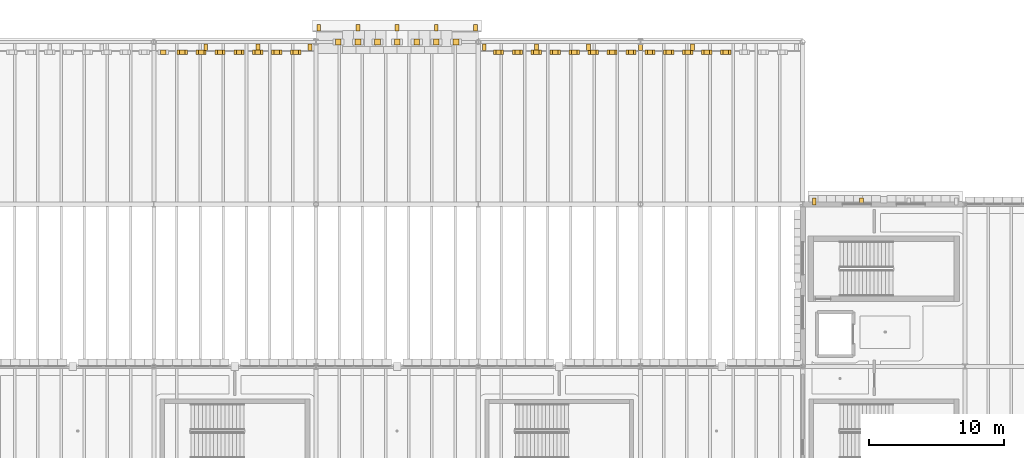
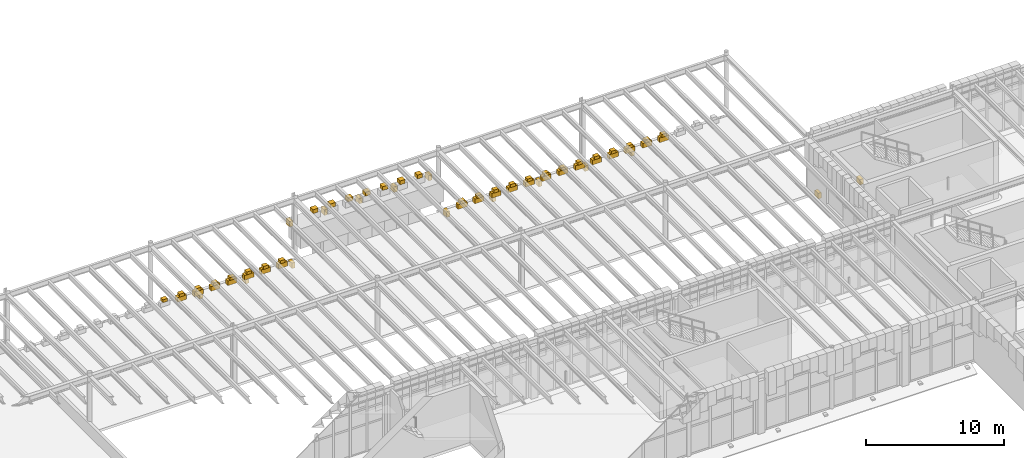
# One storey, part 99 of 100: 63 coverings.
"""IFC4 building model written with IfcOpenShell, lengths in metres."""

from ifc_helpers import new_model, si_unit, direction, frame, origin, place, context, subcontext, project, spatial, polyline, outline, extrude, material, layer, layer_set, type_object, element, save


model = new_model("IFC4")

# Units and contexts
model_context = context("Model", 3, precision=1e-05, world=origin(), true_north=direction((0.0, 1.0)))
body_context = subcontext(model_context, "Body", "Model", "MODEL_VIEW")
ifc_project = project(units=[si_unit("LENGTHUNIT", "METRE"), si_unit("AREAUNIT", "SQUARE_METRE"), si_unit("VOLUMEUNIT", "CUBIC_METRE"), si_unit("PLANEANGLEUNIT", "RADIAN"), si_unit("MASSUNIT", "GRAM", prefix="KILO")], contexts=[model_context])

# Site, building, storey
site_placement = place(None, origin())
site = spatial("IfcSite", under=ifc_project, at=site_placement, CompositionType="ELEMENT")
building_placement = place(site_placement, origin())
building = spatial("IfcBuilding", under=site, at=building_placement, Name="Zlatogorsky Bluff Art Gallery", CompositionType="ELEMENT")
storey_placement = place(building_placement, frame((0.0, 0.0, 5.39990234375)))
storey = spatial("IfcBuildingStorey", under=building, at=storey_placement, Name="L01", CompositionType="ELEMENT", Elevation=5.39990234375)

# Coverings
ifc_material = material(Name="Honed Red Agra-Tone Quartzitic Sandstone", Category="masonry")
ifc_layer = layer(ifc_material, 0.1201171875)
ifc_layer_set = layer_set([ifc_layer], Name="Carved Sandstone Cladding CLD-02")
covering_type = type_object("IfcCoveringType", Name="Carved Sandstone Cladding CLD-02", PredefinedType="CLADDING", material=ifc_layer_set)
covering_1_placement = place(storey_placement, frame((0.0, 0.0, 1.960205078125)))
element("IfcCovering", 1, at=covering_1_placement, inside=storey, type_object=covering_type, Name="Chhajja carved stone corbel PISHTAQ-N-DALAN-CHJ.1", PredefinedType="CLADDING", context=body_context, shape_type="SweptSolid", body=[
    extrude(outline(polyline([(84.06005859375, 120.81005859375), (84.340087890625, 120.81005859375), (84.340087890625, 121.31005859375), (84.06005859375, 121.31005859375), (84.06005859375, 120.81005859375)])), origin(), (0.0, 0.0, 1.0), 0.47998046875),
])
covering_2_placement = place(storey_placement, frame((0.0, 0.0, 1.960205078125)))
element("IfcCovering", 2, at=covering_2_placement, inside=storey, type_object=covering_type, Name="Chhajja carved stone corbel PISHTAQ-N-DALAN-CHJ.2", PredefinedType="CLADDING", context=body_context, shape_type="SweptSolid", body=[
    extrude(outline(polyline([(86.9599609375, 120.81005859375), (87.239990234375, 120.81005859375), (87.239990234375, 121.31005859375), (86.9599609375, 121.31005859375), (86.9599609375, 120.81005859375)])), origin(), (0.0, 0.0, 1.0), 0.47998046875),
])
covering_3_placement = place(storey_placement, frame((0.0, 0.0, 1.960205078125)))
element("IfcCovering", 3, at=covering_3_placement, inside=storey, type_object=covering_type, Name="Chhajja carved stone corbel PISHTAQ-N-DALAN-CHJ.3", PredefinedType="CLADDING", context=body_context, shape_type="SweptSolid", body=[
    extrude(outline(polyline([(89.860107421875, 120.81005859375), (90.139892578125, 120.81005859375), (90.139892578125, 121.31005859375), (89.860107421875, 121.31005859375), (89.860107421875, 120.81005859375)])), origin(), (0.0, 0.0, 1.0), 0.47998046875),
])
covering_4_placement = place(storey_placement, frame((0.0, 0.0, 1.960205078125)))
element("IfcCovering", 4, at=covering_4_placement, inside=storey, type_object=covering_type, Name="Chhajja carved stone corbel PISHTAQ-N-DALAN-CHJ.4", PredefinedType="CLADDING", context=body_context, shape_type="SweptSolid", body=[
    extrude(outline(polyline([(92.760009765625, 120.81005859375), (93.0400390625, 120.81005859375), (93.0400390625, 121.31005859375), (92.760009765625, 121.31005859375), (92.760009765625, 120.81005859375)])), origin(), (0.0, 0.0, 1.0), 0.47998046875),
])
covering_5_placement = place(storey_placement, frame((0.0, 0.0, 1.960205078125)))
element("IfcCovering", 5, at=covering_5_placement, inside=storey, type_object=covering_type, Name="Chhajja carved stone corbel PISHTAQ-N-DALAN-CHJ.5", PredefinedType="CLADDING", context=body_context, shape_type="SweptSolid", body=[
    extrude(outline(polyline([(95.659912109375, 120.81005859375), (95.93994140625, 120.81005859375), (95.93994140625, 121.31005859375), (95.659912109375, 121.31005859375), (95.659912109375, 120.81005859375)])), origin(), (0.0, 0.0, 1.0), 0.47998046875),
])
covering_6_placement = place(storey_placement, frame((0.0, 0.0, 3.283935546875)))
element("IfcCovering", 6, at=covering_6_placement, inside=storey, type_object=covering_type, Name="Kangura pointed merlon finial PISHTAQ-N-DALAN.1", PredefinedType="CLADDING", context=body_context, shape_type="SweptSolid", body=[
    extrude(outline(polyline([(85.436767578125, 119.794921875), (85.86328125, 119.794921875), (85.86328125, 120.215087890625), (85.436767578125, 120.215087890625), (85.436767578125, 119.794921875)])), origin(), (0.0, 0.0, 1.0), 0.336181640625),
])
covering_7_placement = place(storey_placement, frame((0.0, 0.0, 3.283935546875)))
element("IfcCovering", 7, at=covering_7_placement, inside=storey, type_object=covering_type, Name="Kangura pointed merlon finial PISHTAQ-N-DALAN.2", PredefinedType="CLADDING", context=body_context, shape_type="SweptSolid", body=[
    extrude(outline(polyline([(86.88671875, 119.794921875), (87.313232421875, 119.794921875), (87.313232421875, 120.215087890625), (86.88671875, 120.215087890625), (86.88671875, 119.794921875)])), origin(), (0.0, 0.0, 1.0), 0.336181640625),
])
covering_8_placement = place(storey_placement, frame((0.0, 0.0, 3.283935546875)))
element("IfcCovering", 8, at=covering_8_placement, inside=storey, type_object=covering_type, Name="Kangura pointed merlon finial PISHTAQ-N-DALAN.3", PredefinedType="CLADDING", context=body_context, shape_type="SweptSolid", body=[
    extrude(outline(polyline([(88.3369140625, 119.794921875), (88.76318359375, 119.794921875), (88.76318359375, 120.215087890625), (88.3369140625, 120.215087890625), (88.3369140625, 119.794921875)])), origin(), (0.0, 0.0, 1.0), 0.336181640625),
])
covering_9_placement = place(storey_placement, frame((0.0, 0.0, 3.283935546875)))
element("IfcCovering", 9, at=covering_9_placement, inside=storey, type_object=covering_type, Name="Kangura pointed merlon finial PISHTAQ-N-DALAN.4", PredefinedType="CLADDING", context=body_context, shape_type="SweptSolid", body=[
    extrude(outline(polyline([(89.786865234375, 119.794921875), (90.213134765625, 119.794921875), (90.213134765625, 120.215087890625), (89.786865234375, 120.215087890625), (89.786865234375, 119.794921875)])), origin(), (0.0, 0.0, 1.0), 0.336181640625),
])
covering_10_placement = place(storey_placement, frame((0.0, 0.0, 3.283935546875)))
element("IfcCovering", 10, at=covering_10_placement, inside=storey, type_object=covering_type, Name="Kangura pointed merlon finial PISHTAQ-N-DALAN.5", PredefinedType="CLADDING", context=body_context, shape_type="SweptSolid", body=[
    extrude(outline(polyline([(91.23681640625, 119.794921875), (91.6630859375, 119.794921875), (91.6630859375, 120.215087890625), (91.23681640625, 120.215087890625), (91.23681640625, 119.794921875)])), origin(), (0.0, 0.0, 1.0), 0.336181640625),
])
covering_11_placement = place(storey_placement, frame((0.0, 0.0, 3.283935546875)))
element("IfcCovering", 11, at=covering_11_placement, inside=storey, type_object=covering_type, Name="Kangura pointed merlon finial PISHTAQ-N-DALAN.6", PredefinedType="CLADDING", context=body_context, shape_type="SweptSolid", body=[
    extrude(outline(polyline([(92.686767578125, 119.794921875), (93.11328125, 119.794921875), (93.11328125, 120.215087890625), (92.686767578125, 120.215087890625), (92.686767578125, 119.794921875)])), origin(), (0.0, 0.0, 1.0), 0.336181640625),
])
covering_12_placement = place(storey_placement, frame((0.0, 0.0, 3.283935546875)))
element("IfcCovering", 12, at=covering_12_placement, inside=storey, type_object=covering_type, Name="Kangura pointed merlon finial PISHTAQ-N-DALAN.7", PredefinedType="CLADDING", context=body_context, shape_type="SweptSolid", body=[
    extrude(outline(polyline([(94.13671875, 119.794921875), (94.563232421875, 119.794921875), (94.563232421875, 120.215087890625), (94.13671875, 120.215087890625), (94.13671875, 119.794921875)])), origin(), (0.0, 0.0, 1.0), 0.336181640625),
])
covering_13_placement = place(storey_placement, frame((0.0, 0.0, -0.599853515625)))
element("IfcCovering", 13, at=covering_13_placement, inside=storey, type_object=covering_type, Name="Chhajja carved stone corbel CHJ-DALAN-W.5", PredefinedType="CLADDING", context=body_context, shape_type="SweptSolid", body=[
    extrude(outline(polyline([(75.7099609375, 119.360107421875), (75.989990234375, 119.360107421875), (75.989990234375, 119.860107421875), (75.7099609375, 119.860107421875), (75.7099609375, 119.360107421875)])), origin(), (0.0, 0.0, 1.0), 0.47998046875),
])
covering_14_placement = place(storey_placement, frame((0.0, 0.0, -0.599853515625)))
element("IfcCovering", 14, at=covering_14_placement, inside=storey, type_object=covering_type, Name="Chhajja carved stone corbel CHJ-DALAN-W.6", PredefinedType="CLADDING", context=body_context, shape_type="SweptSolid", body=[
    extrude(outline(polyline([(79.56005859375, 119.360107421875), (79.840087890625, 119.360107421875), (79.840087890625, 119.860107421875), (79.56005859375, 119.860107421875), (79.56005859375, 119.360107421875)])), origin(), (0.0, 0.0, 1.0), 0.47998046875),
])
covering_15_placement = place(storey_placement, frame((0.0, 0.0, -0.599853515625)))
element("IfcCovering", 15, at=covering_15_placement, inside=storey, type_object=covering_type, Name="Chhajja carved stone corbel CHJ-DALAN-W.7", PredefinedType="CLADDING", context=body_context, shape_type="SweptSolid", body=[
    extrude(outline(polyline([(83.409912109375, 119.360107421875), (83.68994140625, 119.360107421875), (83.68994140625, 119.860107421875), (83.409912109375, 119.860107421875), (83.409912109375, 119.360107421875)])), origin(), (0.0, 0.0, 1.0), 0.47998046875),
])
covering_16_placement = place(storey_placement, frame((0.0, 0.0, -0.599853515625)))
element("IfcCovering", 16, at=covering_16_placement, inside=storey, type_object=covering_type, Name="Chhajja carved stone corbel CHJ-DALAN-E.1", PredefinedType="CLADDING", context=body_context, shape_type="SweptSolid", body=[
    extrude(outline(polyline([(96.31005859375, 119.360107421875), (96.590087890625, 119.360107421875), (96.590087890625, 119.860107421875), (96.31005859375, 119.860107421875), (96.31005859375, 119.360107421875)])), origin(), (0.0, 0.0, 1.0), 0.47998046875),
])
covering_17_placement = place(storey_placement, frame((0.0, 0.0, -0.599853515625)))
element("IfcCovering", 17, at=covering_17_placement, inside=storey, type_object=covering_type, Name="Chhajja carved stone corbel CHJ-DALAN-E.2", PredefinedType="CLADDING", context=body_context, shape_type="SweptSolid", body=[
    extrude(outline(polyline([(100.159912109375, 119.360107421875), (100.43994140625, 119.360107421875), (100.43994140625, 119.860107421875), (100.159912109375, 119.860107421875), (100.159912109375, 119.360107421875)])), origin(), (0.0, 0.0, 1.0), 0.47998046875),
])
covering_18_placement = place(storey_placement, frame((0.0, 0.0, -0.599853515625)))
element("IfcCovering", 18, at=covering_18_placement, inside=storey, type_object=covering_type, Name="Chhajja carved stone corbel CHJ-DALAN-E.3", PredefinedType="CLADDING", context=body_context, shape_type="SweptSolid", body=[
    extrude(outline(polyline([(104.010009765625, 119.360107421875), (104.2900390625, 119.360107421875), (104.2900390625, 119.860107421875), (104.010009765625, 119.860107421875), (104.010009765625, 119.360107421875)])), origin(), (0.0, 0.0, 1.0), 0.47998046875),
])
covering_19_placement = place(storey_placement, frame((0.0, 0.0, -0.599853515625)))
element("IfcCovering", 19, at=covering_19_placement, inside=storey, type_object=covering_type, Name="Chhajja carved stone corbel CHJ-DALAN-E.4", PredefinedType="CLADDING", context=body_context, shape_type="SweptSolid", body=[
    extrude(outline(polyline([(107.860107421875, 119.360107421875), (108.139892578125, 119.360107421875), (108.139892578125, 119.860107421875), (107.860107421875, 119.860107421875), (107.860107421875, 119.360107421875)])), origin(), (0.0, 0.0, 1.0), 0.47998046875),
])
covering_20_placement = place(storey_placement, frame((0.0, 0.0, -0.599853515625)))
element("IfcCovering", 20, at=covering_20_placement, inside=storey, type_object=covering_type, Name="Chhajja carved stone corbel CHJ-DALAN-E.5", PredefinedType="CLADDING", context=body_context, shape_type="SweptSolid", body=[
    extrude(outline(polyline([(111.7099609375, 119.360107421875), (111.989990234375, 119.360107421875), (111.989990234375, 119.860107421875), (111.7099609375, 119.860107421875), (111.7099609375, 119.360107421875)])), origin(), (0.0, 0.0, 1.0), 0.47998046875),
])
covering_21_placement = place(storey_placement, frame((0.0, 0.0, 0.385986328125)))
element("IfcCovering", 21, at=covering_21_placement, inside=storey, type_object=covering_type, Name="Kangura pointed merlon finial DALAN-W.9", PredefinedType="CLADDING", context=body_context, shape_type="SweptSolid", body=[
    extrude(outline(polyline([(72.50244140625, 119.080078125), (72.897705078125, 119.080078125), (72.897705078125, 119.419921875), (72.50244140625, 119.419921875), (72.50244140625, 119.080078125)])), origin(), (0.0, 0.0, 1.0), 0.254150390625),
])
covering_22_placement = place(storey_placement, frame((0.0, 0.0, -0.010009765625)))
element("IfcCovering", 22, at=covering_22_placement, inside=storey, type_object=covering_type, Name="Kangura stepped merlon base DALAN-W.10", PredefinedType="CLADDING", context=body_context, shape_type="SweptSolid", body=[
    extrude(outline(polyline([(73.719970703125, 119.080078125), (74.47998046875, 119.080078125), (74.47998046875, 119.419921875), (73.719970703125, 119.419921875), (73.719970703125, 119.080078125)])), origin(), (0.0, 0.0, 1.0), 0.41455078125),
])
covering_23_placement = place(storey_placement, frame((0.0, 0.0, 0.385986328125)))
element("IfcCovering", 23, at=covering_23_placement, inside=storey, type_object=covering_type, Name="Kangura pointed merlon finial DALAN-W.10", PredefinedType="CLADDING", context=body_context, shape_type="SweptSolid", body=[
    extrude(outline(polyline([(73.90234375, 119.080078125), (74.297607421875, 119.080078125), (74.297607421875, 119.419921875), (73.90234375, 119.419921875), (73.90234375, 119.080078125)])), origin(), (0.0, 0.0, 1.0), 0.254150390625),
])
covering_24_placement = place(storey_placement, frame((0.0, 0.0, -0.010009765625)))
element("IfcCovering", 24, at=covering_24_placement, inside=storey, type_object=covering_type, Name="Kangura stepped merlon base DALAN-W.11", PredefinedType="CLADDING", context=body_context, shape_type="SweptSolid", body=[
    extrude(outline(polyline([(75.1201171875, 119.080078125), (75.8798828125, 119.080078125), (75.8798828125, 119.419921875), (75.1201171875, 119.419921875), (75.1201171875, 119.080078125)])), origin(), (0.0, 0.0, 1.0), 0.41455078125),
])
covering_25_placement = place(storey_placement, frame((0.0, 0.0, 0.385986328125)))
element("IfcCovering", 25, at=covering_25_placement, inside=storey, type_object=covering_type, Name="Kangura pointed merlon finial DALAN-W.11", PredefinedType="CLADDING", context=body_context, shape_type="SweptSolid", body=[
    extrude(outline(polyline([(75.302490234375, 119.080078125), (75.697509765625, 119.080078125), (75.697509765625, 119.419921875), (75.302490234375, 119.419921875), (75.302490234375, 119.080078125)])), origin(), (0.0, 0.0, 1.0), 0.254150390625),
])
covering_26_placement = place(storey_placement, frame((0.0, 0.0, -0.010009765625)))
element("IfcCovering", 26, at=covering_26_placement, inside=storey, type_object=covering_type, Name="Kangura stepped merlon base DALAN-W.12", PredefinedType="CLADDING", context=body_context, shape_type="SweptSolid", body=[
    extrude(outline(polyline([(76.52001953125, 119.080078125), (77.280029296875, 119.080078125), (77.280029296875, 119.419921875), (76.52001953125, 119.419921875), (76.52001953125, 119.080078125)])), origin(), (0.0, 0.0, 1.0), 0.41455078125),
])
covering_27_placement = place(storey_placement, frame((0.0, 0.0, 0.385986328125)))
element("IfcCovering", 27, at=covering_27_placement, inside=storey, type_object=covering_type, Name="Kangura pointed merlon finial DALAN-W.12", PredefinedType="CLADDING", context=body_context, shape_type="SweptSolid", body=[
    extrude(outline(polyline([(76.702392578125, 119.080078125), (77.09765625, 119.080078125), (77.09765625, 119.419921875), (76.702392578125, 119.419921875), (76.702392578125, 119.080078125)])), origin(), (0.0, 0.0, 1.0), 0.254150390625),
])
covering_28_placement = place(storey_placement, frame((0.0, 0.0, -0.010009765625)))
element("IfcCovering", 28, at=covering_28_placement, inside=storey, type_object=covering_type, Name="Kangura stepped merlon base DALAN-W.13", PredefinedType="CLADDING", context=body_context, shape_type="SweptSolid", body=[
    extrude(outline(polyline([(77.919921875, 119.080078125), (78.679931640625, 119.080078125), (78.679931640625, 119.419921875), (77.919921875, 119.419921875), (77.919921875, 119.080078125)])), origin(), (0.0, 0.0, 1.0), 0.41455078125),
])
covering_29_placement = place(storey_placement, frame((0.0, 0.0, 0.385986328125)))
element("IfcCovering", 29, at=covering_29_placement, inside=storey, type_object=covering_type, Name="Kangura pointed merlon finial DALAN-W.13", PredefinedType="CLADDING", context=body_context, shape_type="SweptSolid", body=[
    extrude(outline(polyline([(78.102294921875, 119.080078125), (78.49755859375, 119.080078125), (78.49755859375, 119.419921875), (78.102294921875, 119.419921875), (78.102294921875, 119.080078125)])), origin(), (0.0, 0.0, 1.0), 0.254150390625),
])
covering_30_placement = place(storey_placement, frame((0.0, 0.0, -0.010009765625)))
element("IfcCovering", 30, at=covering_30_placement, inside=storey, type_object=covering_type, Name="Kangura stepped merlon base DALAN-W.14", PredefinedType="CLADDING", context=body_context, shape_type="SweptSolid", body=[
    extrude(outline(polyline([(79.320068359375, 119.080078125), (80.080078125, 119.080078125), (80.080078125, 119.419921875), (79.320068359375, 119.419921875), (79.320068359375, 119.080078125)])), origin(), (0.0, 0.0, 1.0), 0.41455078125),
])
covering_31_placement = place(storey_placement, frame((0.0, 0.0, 0.385986328125)))
element("IfcCovering", 31, at=covering_31_placement, inside=storey, type_object=covering_type, Name="Kangura pointed merlon finial DALAN-W.14", PredefinedType="CLADDING", context=body_context, shape_type="SweptSolid", body=[
    extrude(outline(polyline([(79.50244140625, 119.080078125), (79.897705078125, 119.080078125), (79.897705078125, 119.419921875), (79.50244140625, 119.419921875), (79.50244140625, 119.080078125)])), origin(), (0.0, 0.0, 1.0), 0.254150390625),
])
covering_32_placement = place(storey_placement, frame((0.0, 0.0, -0.010009765625)))
element("IfcCovering", 32, at=covering_32_placement, inside=storey, type_object=covering_type, Name="Kangura stepped merlon base DALAN-W.15", PredefinedType="CLADDING", context=body_context, shape_type="SweptSolid", body=[
    extrude(outline(polyline([(80.719970703125, 119.080078125), (81.47998046875, 119.080078125), (81.47998046875, 119.419921875), (80.719970703125, 119.419921875), (80.719970703125, 119.080078125)])), origin(), (0.0, 0.0, 1.0), 0.41455078125),
])
covering_33_placement = place(storey_placement, frame((0.0, 0.0, 0.385986328125)))
element("IfcCovering", 33, at=covering_33_placement, inside=storey, type_object=covering_type, Name="Kangura pointed merlon finial DALAN-W.15", PredefinedType="CLADDING", context=body_context, shape_type="SweptSolid", body=[
    extrude(outline(polyline([(80.90234375, 119.080078125), (81.297607421875, 119.080078125), (81.297607421875, 119.419921875), (80.90234375, 119.419921875), (80.90234375, 119.080078125)])), origin(), (0.0, 0.0, 1.0), 0.254150390625),
])
covering_34_placement = place(storey_placement, frame((0.0, 0.0, -0.010009765625)))
element("IfcCovering", 34, at=covering_34_placement, inside=storey, type_object=covering_type, Name="Kangura stepped merlon base DALAN-W.16", PredefinedType="CLADDING", context=body_context, shape_type="SweptSolid", body=[
    extrude(outline(polyline([(82.1201171875, 119.080078125), (82.8798828125, 119.080078125), (82.8798828125, 119.419921875), (82.1201171875, 119.419921875), (82.1201171875, 119.080078125)])), origin(), (0.0, 0.0, 1.0), 0.41455078125),
])
covering_35_placement = place(storey_placement, frame((0.0, 0.0, 0.385986328125)))
element("IfcCovering", 35, at=covering_35_placement, inside=storey, type_object=covering_type, Name="Kangura pointed merlon finial DALAN-W.16", PredefinedType="CLADDING", context=body_context, shape_type="SweptSolid", body=[
    extrude(outline(polyline([(82.302490234375, 119.080078125), (82.697509765625, 119.080078125), (82.697509765625, 119.419921875), (82.302490234375, 119.419921875), (82.302490234375, 119.080078125)])), origin(), (0.0, 0.0, 1.0), 0.254150390625),
])
covering_36_placement = place(storey_placement, frame((0.0, 0.0, -0.010009765625)))
element("IfcCovering", 36, at=covering_36_placement, inside=storey, type_object=covering_type, Name="Kangura stepped merlon base DALAN-E.1", PredefinedType="CLADDING", context=body_context, shape_type="SweptSolid", body=[
    extrude(outline(polyline([(97.1201171875, 119.080078125), (97.8798828125, 119.080078125), (97.8798828125, 119.419921875), (97.1201171875, 119.419921875), (97.1201171875, 119.080078125)])), origin(), (0.0, 0.0, 1.0), 0.41455078125),
])
covering_37_placement = place(storey_placement, frame((0.0, 0.0, 0.385986328125)))
element("IfcCovering", 37, at=covering_37_placement, inside=storey, type_object=covering_type, Name="Kangura pointed merlon finial DALAN-E.1", PredefinedType="CLADDING", context=body_context, shape_type="SweptSolid", body=[
    extrude(outline(polyline([(97.302490234375, 119.080078125), (97.697509765625, 119.080078125), (97.697509765625, 119.419921875), (97.302490234375, 119.419921875), (97.302490234375, 119.080078125)])), origin(), (0.0, 0.0, 1.0), 0.254150390625),
])
covering_38_placement = place(storey_placement, frame((0.0, 0.0, -0.010009765625)))
element("IfcCovering", 38, at=covering_38_placement, inside=storey, type_object=covering_type, Name="Kangura stepped merlon base DALAN-E.2", PredefinedType="CLADDING", context=body_context, shape_type="SweptSolid", body=[
    extrude(outline(polyline([(98.52001953125, 119.080078125), (99.280029296875, 119.080078125), (99.280029296875, 119.419921875), (98.52001953125, 119.419921875), (98.52001953125, 119.080078125)])), origin(), (0.0, 0.0, 1.0), 0.41455078125),
])
covering_39_placement = place(storey_placement, frame((0.0, 0.0, 0.385986328125)))
element("IfcCovering", 39, at=covering_39_placement, inside=storey, type_object=covering_type, Name="Kangura pointed merlon finial DALAN-E.2", PredefinedType="CLADDING", context=body_context, shape_type="SweptSolid", body=[
    extrude(outline(polyline([(98.702392578125, 119.080078125), (99.09765625, 119.080078125), (99.09765625, 119.419921875), (98.702392578125, 119.419921875), (98.702392578125, 119.080078125)])), origin(), (0.0, 0.0, 1.0), 0.254150390625),
])
covering_40_placement = place(storey_placement, frame((0.0, 0.0, -0.010009765625)))
element("IfcCovering", 40, at=covering_40_placement, inside=storey, type_object=covering_type, Name="Kangura stepped merlon base DALAN-E.3", PredefinedType="CLADDING", context=body_context, shape_type="SweptSolid", body=[
    extrude(outline(polyline([(99.919921875, 119.080078125), (100.679931640625, 119.080078125), (100.679931640625, 119.419921875), (99.919921875, 119.419921875), (99.919921875, 119.080078125)])), origin(), (0.0, 0.0, 1.0), 0.41455078125),
])
covering_41_placement = place(storey_placement, frame((0.0, 0.0, 0.385986328125)))
element("IfcCovering", 41, at=covering_41_placement, inside=storey, type_object=covering_type, Name="Kangura pointed merlon finial DALAN-E.3", PredefinedType="CLADDING", context=body_context, shape_type="SweptSolid", body=[
    extrude(outline(polyline([(100.102294921875, 119.080078125), (100.49755859375, 119.080078125), (100.49755859375, 119.419921875), (100.102294921875, 119.419921875), (100.102294921875, 119.080078125)])), origin(), (0.0, 0.0, 1.0), 0.254150390625),
])
covering_42_placement = place(storey_placement, frame((0.0, 0.0, -0.010009765625)))
element("IfcCovering", 42, at=covering_42_placement, inside=storey, type_object=covering_type, Name="Kangura stepped merlon base DALAN-E.4", PredefinedType="CLADDING", context=body_context, shape_type="SweptSolid", body=[
    extrude(outline(polyline([(101.320068359375, 119.080078125), (102.080078125, 119.080078125), (102.080078125, 119.419921875), (101.320068359375, 119.419921875), (101.320068359375, 119.080078125)])), origin(), (0.0, 0.0, 1.0), 0.41455078125),
])
covering_43_placement = place(storey_placement, frame((0.0, 0.0, 0.385986328125)))
element("IfcCovering", 43, at=covering_43_placement, inside=storey, type_object=covering_type, Name="Kangura pointed merlon finial DALAN-E.4", PredefinedType="CLADDING", context=body_context, shape_type="SweptSolid", body=[
    extrude(outline(polyline([(101.50244140625, 119.080078125), (101.897705078125, 119.080078125), (101.897705078125, 119.419921875), (101.50244140625, 119.419921875), (101.50244140625, 119.080078125)])), origin(), (0.0, 0.0, 1.0), 0.254150390625),
])
covering_44_placement = place(storey_placement, frame((0.0, 0.0, -0.010009765625)))
element("IfcCovering", 44, at=covering_44_placement, inside=storey, type_object=covering_type, Name="Kangura stepped merlon base DALAN-E.5", PredefinedType="CLADDING", context=body_context, shape_type="SweptSolid", body=[
    extrude(outline(polyline([(102.719970703125, 119.080078125), (103.47998046875, 119.080078125), (103.47998046875, 119.419921875), (102.719970703125, 119.419921875), (102.719970703125, 119.080078125)])), origin(), (0.0, 0.0, 1.0), 0.41455078125),
])
covering_45_placement = place(storey_placement, frame((0.0, 0.0, 0.385986328125)))
element("IfcCovering", 45, at=covering_45_placement, inside=storey, type_object=covering_type, Name="Kangura pointed merlon finial DALAN-E.5", PredefinedType="CLADDING", context=body_context, shape_type="SweptSolid", body=[
    extrude(outline(polyline([(102.90234375, 119.080078125), (103.297607421875, 119.080078125), (103.297607421875, 119.419921875), (102.90234375, 119.419921875), (102.90234375, 119.080078125)])), origin(), (0.0, 0.0, 1.0), 0.254150390625),
])
covering_46_placement = place(storey_placement, frame((0.0, 0.0, -0.010009765625)))
element("IfcCovering", 46, at=covering_46_placement, inside=storey, type_object=covering_type, Name="Kangura stepped merlon base DALAN-E.6", PredefinedType="CLADDING", context=body_context, shape_type="SweptSolid", body=[
    extrude(outline(polyline([(104.1201171875, 119.080078125), (104.8798828125, 119.080078125), (104.8798828125, 119.419921875), (104.1201171875, 119.419921875), (104.1201171875, 119.080078125)])), origin(), (0.0, 0.0, 1.0), 0.41455078125),
])
covering_47_placement = place(storey_placement, frame((0.0, 0.0, 0.385986328125)))
element("IfcCovering", 47, at=covering_47_placement, inside=storey, type_object=covering_type, Name="Kangura pointed merlon finial DALAN-E.6", PredefinedType="CLADDING", context=body_context, shape_type="SweptSolid", body=[
    extrude(outline(polyline([(104.302490234375, 119.080078125), (104.697509765625, 119.080078125), (104.697509765625, 119.419921875), (104.302490234375, 119.419921875), (104.302490234375, 119.080078125)])), origin(), (0.0, 0.0, 1.0), 0.254150390625),
])
covering_48_placement = place(storey_placement, frame((0.0, 0.0, -0.010009765625)))
element("IfcCovering", 48, at=covering_48_placement, inside=storey, type_object=covering_type, Name="Kangura stepped merlon base DALAN-E.7", PredefinedType="CLADDING", context=body_context, shape_type="SweptSolid", body=[
    extrude(outline(polyline([(105.52001953125, 119.080078125), (106.280029296875, 119.080078125), (106.280029296875, 119.419921875), (105.52001953125, 119.419921875), (105.52001953125, 119.080078125)])), origin(), (0.0, 0.0, 1.0), 0.41455078125),
])
covering_49_placement = place(storey_placement, frame((0.0, 0.0, 0.385986328125)))
element("IfcCovering", 49, at=covering_49_placement, inside=storey, type_object=covering_type, Name="Kangura pointed merlon finial DALAN-E.7", PredefinedType="CLADDING", context=body_context, shape_type="SweptSolid", body=[
    extrude(outline(polyline([(105.702392578125, 119.080078125), (106.09765625, 119.080078125), (106.09765625, 119.419921875), (105.702392578125, 119.419921875), (105.702392578125, 119.080078125)])), origin(), (0.0, 0.0, 1.0), 0.254150390625),
])
covering_50_placement = place(storey_placement, frame((0.0, 0.0, -0.010009765625)))
element("IfcCovering", 50, at=covering_50_placement, inside=storey, type_object=covering_type, Name="Kangura stepped merlon base DALAN-E.8", PredefinedType="CLADDING", context=body_context, shape_type="SweptSolid", body=[
    extrude(outline(polyline([(106.919921875, 119.080078125), (107.679931640625, 119.080078125), (107.679931640625, 119.419921875), (106.919921875, 119.419921875), (106.919921875, 119.080078125)])), origin(), (0.0, 0.0, 1.0), 0.41455078125),
])
covering_51_placement = place(storey_placement, frame((0.0, 0.0, 0.385986328125)))
element("IfcCovering", 51, at=covering_51_placement, inside=storey, type_object=covering_type, Name="Kangura pointed merlon finial DALAN-E.8", PredefinedType="CLADDING", context=body_context, shape_type="SweptSolid", body=[
    extrude(outline(polyline([(107.102294921875, 119.080078125), (107.49755859375, 119.080078125), (107.49755859375, 119.419921875), (107.102294921875, 119.419921875), (107.102294921875, 119.080078125)])), origin(), (0.0, 0.0, 1.0), 0.254150390625),
])
covering_52_placement = place(storey_placement, frame((0.0, 0.0, -0.010009765625)))
element("IfcCovering", 52, at=covering_52_placement, inside=storey, type_object=covering_type, Name="Kangura stepped merlon base DALAN-E.9", PredefinedType="CLADDING", context=body_context, shape_type="SweptSolid", body=[
    extrude(outline(polyline([(108.320068359375, 119.080078125), (109.080078125, 119.080078125), (109.080078125, 119.419921875), (108.320068359375, 119.419921875), (108.320068359375, 119.080078125)])), origin(), (0.0, 0.0, 1.0), 0.41455078125),
])
covering_53_placement = place(storey_placement, frame((0.0, 0.0, 0.385986328125)))
element("IfcCovering", 53, at=covering_53_placement, inside=storey, type_object=covering_type, Name="Kangura pointed merlon finial DALAN-E.9", PredefinedType="CLADDING", context=body_context, shape_type="SweptSolid", body=[
    extrude(outline(polyline([(108.50244140625, 119.080078125), (108.897705078125, 119.080078125), (108.897705078125, 119.419921875), (108.50244140625, 119.419921875), (108.50244140625, 119.080078125)])), origin(), (0.0, 0.0, 1.0), 0.254150390625),
])
covering_54_placement = place(storey_placement, frame((0.0, 0.0, -0.010009765625)))
element("IfcCovering", 54, at=covering_54_placement, inside=storey, type_object=covering_type, Name="Kangura stepped merlon base DALAN-E.10", PredefinedType="CLADDING", context=body_context, shape_type="SweptSolid", body=[
    extrude(outline(polyline([(109.719970703125, 119.080078125), (110.47998046875, 119.080078125), (110.47998046875, 119.419921875), (109.719970703125, 119.419921875), (109.719970703125, 119.080078125)])), origin(), (0.0, 0.0, 1.0), 0.41455078125),
])
covering_55_placement = place(storey_placement, frame((0.0, 0.0, 0.385986328125)))
element("IfcCovering", 55, at=covering_55_placement, inside=storey, type_object=covering_type, Name="Kangura pointed merlon finial DALAN-E.10", PredefinedType="CLADDING", context=body_context, shape_type="SweptSolid", body=[
    extrude(outline(polyline([(109.90234375, 119.080078125), (110.297607421875, 119.080078125), (110.297607421875, 119.419921875), (109.90234375, 119.419921875), (109.90234375, 119.080078125)])), origin(), (0.0, 0.0, 1.0), 0.254150390625),
])
covering_56_placement = place(storey_placement, frame((0.0, 0.0, -0.010009765625)))
element("IfcCovering", 56, at=covering_56_placement, inside=storey, type_object=covering_type, Name="Kangura stepped merlon base DALAN-E.11", PredefinedType="CLADDING", context=body_context, shape_type="SweptSolid", body=[
    extrude(outline(polyline([(111.1201171875, 119.080078125), (111.8798828125, 119.080078125), (111.8798828125, 119.419921875), (111.1201171875, 119.419921875), (111.1201171875, 119.080078125)])), origin(), (0.0, 0.0, 1.0), 0.41455078125),
])
covering_57_placement = place(storey_placement, frame((0.0, 0.0, 0.385986328125)))
element("IfcCovering", 57, at=covering_57_placement, inside=storey, type_object=covering_type, Name="Kangura pointed merlon finial DALAN-E.11", PredefinedType="CLADDING", context=body_context, shape_type="SweptSolid", body=[
    extrude(outline(polyline([(111.302490234375, 119.080078125), (111.697509765625, 119.080078125), (111.697509765625, 119.419921875), (111.302490234375, 119.419921875), (111.302490234375, 119.080078125)])), origin(), (0.0, 0.0, 1.0), 0.254150390625),
])
covering_58_placement = place(storey_placement, frame((0.0, 0.0, -0.010009765625)))
element("IfcCovering", 58, at=covering_58_placement, inside=storey, type_object=covering_type, Name="Kangura stepped merlon base DALAN-E.12", PredefinedType="CLADDING", context=body_context, shape_type="SweptSolid", body=[
    extrude(outline(polyline([(112.52001953125, 119.080078125), (113.280029296875, 119.080078125), (113.280029296875, 119.419921875), (112.52001953125, 119.419921875), (112.52001953125, 119.080078125)])), origin(), (0.0, 0.0, 1.0), 0.41455078125),
])
covering_59_placement = place(storey_placement, frame((0.0, 0.0, 0.385986328125)))
element("IfcCovering", 59, at=covering_59_placement, inside=storey, type_object=covering_type, Name="Kangura pointed merlon finial DALAN-E.12", PredefinedType="CLADDING", context=body_context, shape_type="SweptSolid", body=[
    extrude(outline(polyline([(112.702392578125, 119.080078125), (113.09765625, 119.080078125), (113.09765625, 119.419921875), (112.702392578125, 119.419921875), (112.702392578125, 119.080078125)])), origin(), (0.0, 0.0, 1.0), 0.254150390625),
])
covering_60_placement = place(storey_placement, frame((0.0, 0.0, -0.010009765625)))
element("IfcCovering", 60, at=covering_60_placement, inside=storey, type_object=covering_type, Name="Kangura stepped merlon base DALAN-E.13", PredefinedType="CLADDING", context=body_context, shape_type="SweptSolid", body=[
    extrude(outline(polyline([(113.919921875, 119.080078125), (114.679931640625, 119.080078125), (114.679931640625, 119.419921875), (113.919921875, 119.419921875), (113.919921875, 119.080078125)])), origin(), (0.0, 0.0, 1.0), 0.41455078125),
])
covering_61_placement = place(storey_placement, frame((0.0, 0.0, 0.385986328125)))
element("IfcCovering", 61, at=covering_61_placement, inside=storey, type_object=covering_type, Name="Kangura pointed merlon finial DALAN-E.13", PredefinedType="CLADDING", context=body_context, shape_type="SweptSolid", body=[
    extrude(outline(polyline([(114.102294921875, 119.080078125), (114.49755859375, 119.080078125), (114.49755859375, 119.419921875), (114.102294921875, 119.419921875), (114.102294921875, 119.080078125)])), origin(), (0.0, 0.0, 1.0), 0.254150390625),
])
covering_62_placement = place(storey_placement, frame((0.0, 0.0, -0.599853515625)))
element("IfcCovering", 62, at=covering_62_placement, inside=storey, type_object=covering_type, Name="Chhajja carved stone corbel CHJ-NE-N-L01A.1", PredefinedType="CLADDING", context=body_context, shape_type="SweptSolid", body=[
    extrude(outline(polyline([(120.7099609375, 107.9599609375), (120.989990234375, 107.9599609375), (120.989990234375, 108.4599609375), (120.7099609375, 108.4599609375), (120.7099609375, 107.9599609375)])), origin(), (0.0, 0.0, 1.0), 0.47998046875),
])
covering_63_placement = place(storey_placement, frame((0.0, 0.0, -0.599853515625)))
element("IfcCovering", 63, at=covering_63_placement, inside=storey, type_object=covering_type, Name="Chhajja carved stone corbel CHJ-NE-N-L01A.2", PredefinedType="CLADDING", context=body_context, shape_type="SweptSolid", body=[
    extrude(outline(polyline([(124.2099609375, 107.9599609375), (124.489990234375, 107.9599609375), (124.489990234375, 108.4599609375), (124.2099609375, 108.4599609375), (124.2099609375, 107.9599609375)])), origin(), (0.0, 0.0, 1.0), 0.47998046875),
])

save(model, "model.ifc")
